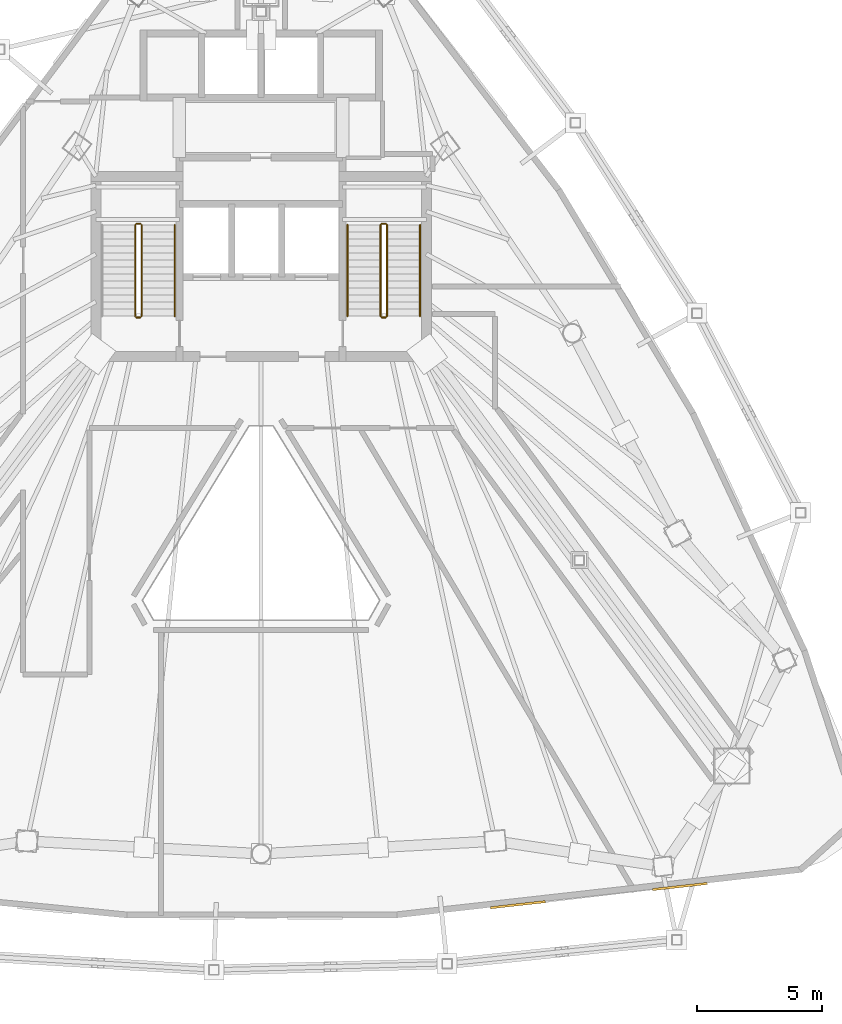
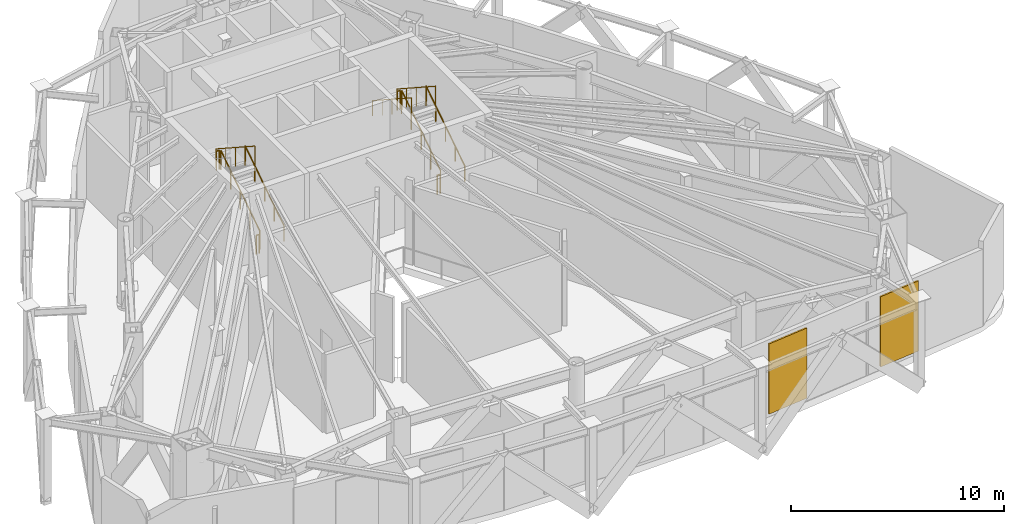
# One storey, part 9 of 10: 11 railings, 2 shading devices.
"""IFC4 building model written with IfcOpenShell, lengths in metres."""

from ifc_helpers import new_model, si_unit, direction, frame, origin, origin_2d, place, context, subcontext, project, spatial, rectangle, circle, extrude, material, layer, layer_set, type_object, element, save


model = new_model("IFC4")

# Units and contexts
model_context = context("Model", 3, precision=1e-05, world=origin(), true_north=direction((0.0, 1.0)))
body_context = subcontext(model_context, "Body", "Model", "MODEL_VIEW")
ifc_project = project(units=[si_unit("LENGTHUNIT", "METRE"), si_unit("AREAUNIT", "SQUARE_METRE"), si_unit("VOLUMEUNIT", "CUBIC_METRE"), si_unit("PLANEANGLEUNIT", "RADIAN"), si_unit("MASSUNIT", "GRAM", prefix="KILO")], contexts=[model_context])

# Site, building, storey
site_placement = place(None, origin())
site = spatial("IfcSite", under=ifc_project, at=site_placement, CompositionType="ELEMENT")
building_placement = place(site_placement, origin())
building = spatial("IfcBuilding", under=site, at=building_placement, Name="Orvanel Arch Residences", CompositionType="ELEMENT")
storey_placement = place(building_placement, frame((0.0, 0.0, 191.300048828125)))
storey = spatial("IfcBuildingStorey", under=building, at=storey_placement, Name="L54", CompositionType="ELEMENT", Elevation=191.300048828125)

# Shading devices
ifc_material_1 = material(Name="Insulated bronze-anodised aluminium spandrel panel", Category="aluminium")
ifc_layer = layer(ifc_material_1, 0.090087890625)
ifc_layer_set = layer_set([ifc_layer], Name="Insulated bronze-anodised aluminium spandrel panel")
shading_device_type = type_object("IfcShadingDeviceType", Name="LVR-PLT-90", PredefinedType="USERDEFINED", material=ifc_layer_set)
for number, where, z_axis, x_axis, name in (
    (1, (43.257080078125, 4.81298828125, 0.199951171875), (0.0, 0.0, 1.0), (0.993767919161, 0.111468932206, 0.0), "L54 Mechanical Intake Louvre Panel F2-5"),
    (2, (49.72607421875, 5.5390625, 0.199951171875), (0.0, 0.0, 1.0), (0.993767919161, 0.111468932206, 0.0), "L54 Mechanical Intake Louvre Panel F2-6"),
):
    element("IfcShadingDevice", number, at=place(storey_placement, frame(where, z_axis=z_axis, x_axis=x_axis)), inside=storey, type_object=shading_device_type, Name=name, ObjectType="LOUVRE", PredefinedType="USERDEFINED", context=body_context, shape_type="SweptSolid", body=[
        extrude(rectangle(XDim=2.199951171875, YDim=0.090087890625, at=origin_2d()), origin(), (0.0, 0.0, 1.0), 4.02392578125),
    ])

# Railings
ifc_material_2 = material(Name="Structural steel AS/NZS 1163 C350L0 (Grade 350)", Category="steel")
railing_type_1 = type_object("IfcRailingType", Name="RL-STAIR-GUARD", PredefinedType="GUARDRAIL", material=ifc_material_2)
railing_1_placement = place(storey_placement, frame((28.22998046875, 28.320068359375, 0.18212890625)))
element("IfcRailing", 3, at=railing_1_placement, inside=storey, type_object=railing_type_1, Name="L54 ST-1 stair guard 1", PredefinedType="GUARDRAIL", context=body_context, shape_type="SweptSolid", body=[
    extrude(circle(Radius=0.02392578125, at=origin_2d()), frame((0.0, 0.001220703125, 1.076904296875), z_axis=(0.0, 0.838234174257, 0.545310433706), x_axis=(-1.0, 0.0, 0.0)), (0.0, 0.0, 1.0), 4.33935546875),
    extrude(circle(Radius=0.02099609375, at=origin_2d()), origin(), (0.0, 0.0, 1.0), 1.050048828125),
    extrude(circle(Radius=0.02099609375, at=origin_2d()), frame((0.0, 0.909912109375, 0.592041015625)), (0.0, 0.0, 1.0), 1.050048828125),
    extrude(circle(Radius=0.02099609375, at=origin_2d()), frame((0.0, 1.81982421875, 1.18408203125)), (0.0, 0.0, 1.0), 1.050048828125),
    extrude(circle(Radius=0.02099609375, at=origin_2d()), frame((0.0, 2.72998046875, 1.77587890625)), (0.0, 0.0, 1.0), 1.050048828125),
    extrude(circle(Radius=0.02099609375, at=origin_2d()), frame((0.0, 3.639892578125, 2.367919921875)), (0.0, 0.0, 1.0), 1.050048828125),
])
railing_2_placement = place(storey_placement, frame((28.179931640625, 32.010009765625, 2.550048828125)))
element("IfcRailing", 4, at=railing_2_placement, inside=storey, type_object=railing_type_1, Name="L54 ST-1 stair guard 2", PredefinedType="GUARDRAIL", context=body_context, shape_type="SweptSolid", body=[
    extrude(circle(Radius=0.02392578125, at=origin_2d()), frame((-0.00146484375, 0.0, 1.076171875), z_axis=(-1.0, 0.0, 0.0), x_axis=(0.0, -1.0, 0.0)), (0.0, 0.0, 1.0), 0.156982421875),
    extrude(circle(Radius=0.02099609375, at=origin_2d()), origin(), (0.0, 0.0, 1.0), 1.050048828125),
    extrude(circle(Radius=0.02099609375, at=origin_2d()), frame((-0.159912109375, 0.0, 0.0)), (0.0, 0.0, 1.0), 1.050048828125),
])
railing_3_placement = place(storey_placement, frame((27.969970703125, 31.9599609375, 2.732177734375)))
element("IfcRailing", 5, at=railing_3_placement, inside=storey, type_object=railing_type_1, Name="L54 ST-1 stair guard 3", PredefinedType="GUARDRAIL", context=body_context, shape_type="SweptSolid", body=[
    extrude(circle(Radius=0.02392578125, at=origin_2d()), frame((0.0, -0.001220703125, 1.076904296875), z_axis=(0.0, -0.838259873693, 0.545270927297), x_axis=(1.0, 0.0, 0.0)), (0.0, 0.0, 1.0), 4.339111328125),
    extrude(circle(Radius=0.02099609375, at=origin_2d()), origin(), (0.0, 0.0, 1.0), 1.050048828125),
    extrude(circle(Radius=0.02099609375, at=origin_2d()), frame((0.0, -0.909912109375, 0.591796875)), (0.0, 0.0, 1.0), 1.050048828125),
    extrude(circle(Radius=0.02099609375, at=origin_2d()), frame((0.0, -1.81982421875, 1.183837890625)), (0.0, 0.0, 1.0), 1.050048828125),
    extrude(circle(Radius=0.02099609375, at=origin_2d()), frame((0.0, -2.72998046875, 1.77587890625)), (0.0, 0.0, 1.0), 1.050048828125),
    extrude(circle(Radius=0.02099609375, at=origin_2d()), frame((0.0, -3.639892578125, 2.36767578125)), (0.0, 0.0, 1.0), 1.050048828125),
])
railing_4_placement = place(storey_placement, frame((28.179931640625, 28.27001953125, 0.0)))
element("IfcRailing", 6, at=railing_4_placement, inside=storey, type_object=railing_type_1, Name="L54 ST-1 stair guard 4", PredefinedType="GUARDRAIL", context=body_context, shape_type="SweptSolid", body=[
    extrude(circle(Radius=0.02392578125, at=origin_2d()), frame((-0.00146484375, 0.0, 1.076171875), z_axis=(-1.0, 0.0, 0.0), x_axis=(0.0, -1.0, 0.0)), (0.0, 0.0, 1.0), 0.156982421875),
    extrude(circle(Radius=0.02099609375, at=origin_2d()), origin(), (0.0, 0.0, 1.0), 1.050048828125),
    extrude(circle(Radius=0.02099609375, at=origin_2d()), frame((-0.159912109375, 0.0, 0.0)), (0.0, 0.0, 1.0), 1.050048828125),
])
railing_5_placement = place(storey_placement, frame((38.030029296875, 28.320068359375, 0.18212890625)))
element("IfcRailing", 7, at=railing_5_placement, inside=storey, type_object=railing_type_1, Name="L54 ST-2 stair guard 1", PredefinedType="GUARDRAIL", context=body_context, shape_type="SweptSolid", body=[
    extrude(circle(Radius=0.02392578125, at=origin_2d()), frame((0.0, 0.001220703125, 1.076904296875), z_axis=(0.0, 0.838234174257, 0.545310433706), x_axis=(-1.0, 0.0, 0.0)), (0.0, 0.0, 1.0), 4.33935546875),
    extrude(circle(Radius=0.02099609375, at=origin_2d()), origin(), (0.0, 0.0, 1.0), 1.050048828125),
    extrude(circle(Radius=0.02099609375, at=origin_2d()), frame((0.0, 0.909912109375, 0.592041015625)), (0.0, 0.0, 1.0), 1.050048828125),
    extrude(circle(Radius=0.02099609375, at=origin_2d()), frame((0.0, 1.81982421875, 1.18408203125)), (0.0, 0.0, 1.0), 1.050048828125),
    extrude(circle(Radius=0.02099609375, at=origin_2d()), frame((0.0, 2.72998046875, 1.77587890625)), (0.0, 0.0, 1.0), 1.050048828125),
    extrude(circle(Radius=0.02099609375, at=origin_2d()), frame((0.0, 3.639892578125, 2.367919921875)), (0.0, 0.0, 1.0), 1.050048828125),
])
railing_6_placement = place(storey_placement, frame((37.97998046875, 32.010009765625, 2.550048828125)))
element("IfcRailing", 8, at=railing_6_placement, inside=storey, type_object=railing_type_1, Name="L54 ST-2 stair guard 2", PredefinedType="GUARDRAIL", context=body_context, shape_type="SweptSolid", body=[
    extrude(circle(Radius=0.02392578125, at=origin_2d()), frame((-0.00146484375, 0.0, 1.076171875), z_axis=(-1.0, 0.0, 0.0), x_axis=(0.0, -1.0, 0.0)), (0.0, 0.0, 1.0), 0.156982421875),
    extrude(circle(Radius=0.02099609375, at=origin_2d()), origin(), (0.0, 0.0, 1.0), 1.050048828125),
    extrude(circle(Radius=0.02099609375, at=origin_2d()), frame((-0.159912109375, 0.0, 0.0)), (0.0, 0.0, 1.0), 1.050048828125),
])
railing_7_placement = place(storey_placement, frame((37.77001953125, 31.9599609375, 2.732177734375)))
element("IfcRailing", 9, at=railing_7_placement, inside=storey, type_object=railing_type_1, Name="L54 ST-2 stair guard 3", PredefinedType="GUARDRAIL", context=body_context, shape_type="SweptSolid", body=[
    extrude(circle(Radius=0.02392578125, at=origin_2d()), frame((0.0, -0.001220703125, 1.076904296875), z_axis=(0.0, -0.838259873693, 0.545270927297), x_axis=(1.0, 0.0, 0.0)), (0.0, 0.0, 1.0), 4.339111328125),
    extrude(circle(Radius=0.02099609375, at=origin_2d()), origin(), (0.0, 0.0, 1.0), 1.050048828125),
    extrude(circle(Radius=0.02099609375, at=origin_2d()), frame((0.0, -0.909912109375, 0.591796875)), (0.0, 0.0, 1.0), 1.050048828125),
    extrude(circle(Radius=0.02099609375, at=origin_2d()), frame((0.0, -1.81982421875, 1.183837890625)), (0.0, 0.0, 1.0), 1.050048828125),
    extrude(circle(Radius=0.02099609375, at=origin_2d()), frame((0.0, -2.72998046875, 1.77587890625)), (0.0, 0.0, 1.0), 1.050048828125),
    extrude(circle(Radius=0.02099609375, at=origin_2d()), frame((0.0, -3.639892578125, 2.36767578125)), (0.0, 0.0, 1.0), 1.050048828125),
])
railing_8_placement = place(storey_placement, frame((37.97998046875, 28.27001953125, 0.0)))
element("IfcRailing", 10, at=railing_8_placement, inside=storey, type_object=railing_type_1, Name="L54 ST-2 stair guard 4", PredefinedType="GUARDRAIL", context=body_context, shape_type="SweptSolid", body=[
    extrude(circle(Radius=0.02392578125, at=origin_2d()), frame((-0.00146484375, 0.0, 1.076171875), z_axis=(-1.0, 0.0, 0.0), x_axis=(0.0, -1.0, 0.0)), (0.0, 0.0, 1.0), 0.156982421875),
    extrude(circle(Radius=0.02099609375, at=origin_2d()), origin(), (0.0, 0.0, 1.0), 1.050048828125),
    extrude(circle(Radius=0.02099609375, at=origin_2d()), frame((-0.159912109375, 0.0, 0.0)), (0.0, 0.0, 1.0), 1.050048828125),
])
railing_type_2 = type_object("IfcRailingType", Name="RL-STAIR-HAND", PredefinedType="HANDRAIL", material=ifc_material_2)
for number, where, name in (
    (11, (29.550048828125, 28.320068359375, 0.18212890625), "L54 ST-1 stair handrail 1"),
    (12, (39.35009765625, 28.320068359375, 0.18212890625), "L54 ST-2 stair handrail 1"),
):
    element("IfcRailing", number, at=place(storey_placement, frame(where)), inside=storey, type_object=railing_type_2, Name=name, PredefinedType="HANDRAIL", context=body_context, shape_type="SweptSolid", body=[
        extrude(circle(Radius=0.02392578125, at=origin_2d()), frame((0.0, 0.001220703125, 0.876708984375), z_axis=(0.0, 0.838234174257, 0.545310433706), x_axis=(-1.0, 0.0, 0.0)), (0.0, 0.0, 1.0), 4.33935546875),
        extrude(circle(Radius=0.02099609375, at=origin_2d()), origin(), (0.0, 0.0, 1.0), 0.849853515625),
        extrude(circle(Radius=0.02099609375, at=origin_2d()), frame((0.0, 0.909912109375, 0.592041015625)), (0.0, 0.0, 1.0), 0.849853515625),
        extrude(circle(Radius=0.02099609375, at=origin_2d()), frame((0.0, 1.81982421875, 1.18408203125)), (0.0, 0.0, 1.0), 0.849853515625),
        extrude(circle(Radius=0.02099609375, at=origin_2d()), frame((0.0, 2.72998046875, 1.77587890625)), (0.0, 0.0, 1.0), 0.849853515625),
        extrude(circle(Radius=0.02099609375, at=origin_2d()), frame((0.0, 3.639892578125, 2.367919921875)), (0.0, 0.0, 1.0), 0.849853515625),
    ])
railing_9_placement = place(storey_placement, frame((36.449951171875, 31.9599609375, 2.732177734375)))
element("IfcRailing", 13, at=railing_9_placement, inside=storey, type_object=railing_type_2, Name="L54 ST-2 stair handrail 2", PredefinedType="HANDRAIL", context=body_context, shape_type="SweptSolid", body=[
    extrude(circle(Radius=0.02392578125, at=origin_2d()), frame((0.0, -0.001220703125, 0.876708984375), z_axis=(0.0, -0.838259873693, 0.545270927297), x_axis=(1.0, 0.0, 0.0)), (0.0, 0.0, 1.0), 4.339111328125),
    extrude(circle(Radius=0.02099609375, at=origin_2d()), origin(), (0.0, 0.0, 1.0), 0.849853515625),
    extrude(circle(Radius=0.02099609375, at=origin_2d()), frame((0.0, -0.909912109375, 0.591796875)), (0.0, 0.0, 1.0), 0.849853515625),
    extrude(circle(Radius=0.02099609375, at=origin_2d()), frame((0.0, -1.81982421875, 1.183837890625)), (0.0, 0.0, 1.0), 0.849853515625),
    extrude(circle(Radius=0.02099609375, at=origin_2d()), frame((0.0, -2.72998046875, 1.77587890625)), (0.0, 0.0, 1.0), 0.849853515625),
    extrude(circle(Radius=0.02099609375, at=origin_2d()), frame((0.0, -3.639892578125, 2.36767578125)), (0.0, 0.0, 1.0), 0.849853515625),
])

save(model, "model.ifc")
